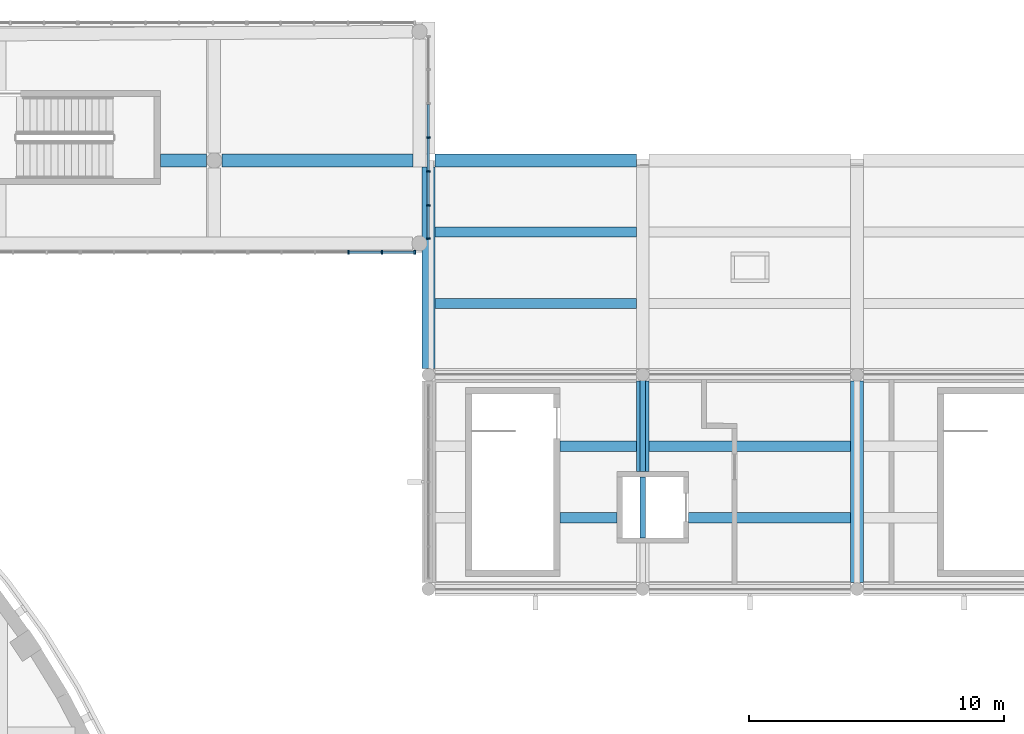
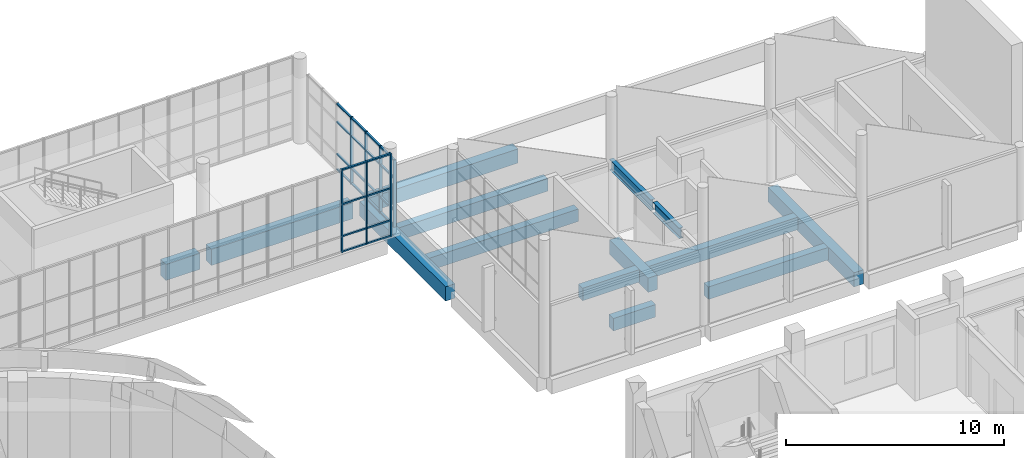
# One storey, part 34 of 119: 31 members, 14 beams, 2 elements without a shape of their own.
"""IFC4 building model written with IfcOpenShell, lengths in metres."""

from ifc_helpers import new_model, si_unit, direction, frame, origin, origin_2d, place, context, subcontext, project, spatial, rectangle, i_section, extrude, material, layer, layer_set, material_profile, profile_set, type_object, element, aggregate, save


model = new_model("IFC4")

# Units and contexts
model_context = context("Model", 3, precision=1e-05, world=origin(), true_north=direction((0.0, 1.0)))
body_context = subcontext(model_context, "Body", "Model", "MODEL_VIEW")
ifc_project = project(units=[si_unit("LENGTHUNIT", "METRE"), si_unit("AREAUNIT", "SQUARE_METRE"), si_unit("VOLUMEUNIT", "CUBIC_METRE"), si_unit("PLANEANGLEUNIT", "RADIAN"), si_unit("MASSUNIT", "GRAM", prefix="KILO")], contexts=[model_context])

# Site, building, storey
site_placement = place(None, origin())
site = spatial("IfcSite", under=ifc_project, at=site_placement, CompositionType="ELEMENT")
building_placement = place(site_placement, origin())
building = spatial("IfcBuilding", under=site, at=building_placement, Name="Larchfold Concert Hall", CompositionType="ELEMENT")
storey_placement = place(building_placement, frame((0.0, 0.0, 4.800048828125)))
storey = spatial("IfcBuildingStorey", under=building, at=storey_placement, Name="L01", CompositionType="ELEMENT", Elevation=4.800048828125)

# Curtain wall, members
ifc_material_1 = material(Name="Anodised graphite aluminium curtain wall", Category="aluminium")
ifc_layer = layer(ifc_material_1, 0.14990234375)
ifc_layer_set = layer_set([ifc_layer], Name="Anodised graphite aluminium curtain wall")
curtain_wall_type = type_object("IfcCurtainWallType", Name="Curtain wall WG", PredefinedType="NOTDEFINED", material=ifc_layer_set)
curtain_wall_1_placement = place(storey_placement, origin())
curtain_wall_1 = element("IfcCurtainWall", 1, at=curtain_wall_1_placement, inside=storey, type_object=curtain_wall_type, Name="Curtain wall CW0170", PredefinedType="NOTDEFINED")
ifc_material_2 = material(Name="Anodised graphite aluminium mullion", Category="aluminium")
ifc_material_profile_1 = material_profile(ifc_material_2, rectangle(XDim=0.14990234375, YDim=0.06005859375, at=origin_2d()))
ifc_profile_set_1 = profile_set([ifc_material_profile_1], Name="Anodised graphite aluminium mullion")
member_type_1 = type_object("IfcMemberType", Name="Aluminium mullion 60x150", PredefinedType="MULLION", material=ifc_profile_set_1)
member_1_placement = place(storey_placement, frame((73.064453125, 123.0, 0.0), z_axis=(0.0, 0.0, 1.0), x_axis=(0.0, 1.0, 0.0)))
member_1 = element("IfcMember", 2, at=member_1_placement, type_object=member_type_1, Name="CW0170 mullion 4", PredefinedType="MULLION", context=body_context, shape_type="SweptSolid", body=[
    extrude(rectangle(XDim=0.14990234375, YDim=0.06005859375, at=origin_2d()), origin(), (0.0, 0.0, 1.0), 4.64990234375),
])
member_2_placement = place(storey_placement, frame((74.378662109375, 123.0, 0.0), z_axis=(0.0, 0.0, 1.0), x_axis=(0.0, 1.0, 0.0)))
member_2 = element("IfcMember", 3, at=member_2_placement, type_object=member_type_1, Name="CW0170 mullion 5", PredefinedType="MULLION", context=body_context, shape_type="SweptSolid", body=[
    extrude(rectangle(XDim=0.14990234375, YDim=0.06005859375, at=origin_2d()), origin(), (0.0, 0.0, 1.0), 4.64990234375),
])
member_3_placement = place(storey_placement, frame((75.66259765625, 123.0, 0.0), z_axis=(0.0, 0.0, 1.0), x_axis=(0.0, 1.0, 0.0)))
member_3 = element("IfcMember", 4, at=member_3_placement, type_object=member_type_1, Name="CW0170 mullion 6", PredefinedType="MULLION", context=body_context, shape_type="SweptSolid", body=[
    extrude(rectangle(XDim=0.14990234375, YDim=0.06005859375, at=origin_2d()), origin(), (0.0, 0.0, 1.0), 4.64990234375),
])

curtain_wall_2_placement = place(storey_placement, origin())
curtain_wall_2 = element("IfcCurtainWall", 5, at=curtain_wall_2_placement, inside=storey, type_object=curtain_wall_type, Name="Curtain wall CW0171", PredefinedType="NOTDEFINED")
member_4_placement = place(storey_placement, frame((76.199951171875, 123.5380859375, 0.0), z_axis=(0.0, 0.0, 1.0), x_axis=(-1.0, 0.0, 0.0)))
member_4 = element("IfcMember", 6, at=member_4_placement, type_object=member_type_1, Name="CW0171 mullion 1", PredefinedType="MULLION", context=body_context, shape_type="SweptSolid", body=[
    extrude(rectangle(XDim=0.14990234375, YDim=0.06005859375, at=origin_2d()), origin(), (0.0, 0.0, 1.0), 3.75),
])
member_5_placement = place(storey_placement, frame((76.199951171875, 124.838623046875, 0.0), z_axis=(0.0, 0.0, 1.0), x_axis=(-1.0, 0.0, 0.0)))
member_5 = element("IfcMember", 7, at=member_5_placement, type_object=member_type_1, Name="CW0171 mullion 2", PredefinedType="MULLION", context=body_context, shape_type="SweptSolid", body=[
    extrude(rectangle(XDim=0.14990234375, YDim=0.06005859375, at=origin_2d()), origin(), (0.0, 0.0, 1.0), 3.75),
])
member_6_placement = place(storey_placement, frame((76.199951171875, 126.16943359375, 0.0), z_axis=(0.0, 0.0, 1.0), x_axis=(-1.0, 0.0, 0.0)))
member_6 = element("IfcMember", 8, at=member_6_placement, type_object=member_type_1, Name="CW0171 mullion 3", PredefinedType="MULLION", context=body_context, shape_type="SweptSolid", body=[
    extrude(rectangle(XDim=0.14990234375, YDim=0.06005859375, at=origin_2d()), origin(), (0.0, 0.0, 1.0), 3.75),
])
member_7_placement = place(storey_placement, frame((76.199951171875, 127.5, 0.0), z_axis=(0.0, 0.0, 1.0), x_axis=(-1.0, 0.0, 0.0)))
member_7 = element("IfcMember", 9, at=member_7_placement, type_object=member_type_1, Name="CW0171 mullion 4", PredefinedType="MULLION", context=body_context, shape_type="SweptSolid", body=[
    extrude(rectangle(XDim=0.14990234375, YDim=0.06005859375, at=origin_2d()), origin(), (0.0, 0.0, 1.0), 3.75),
])

# Member
ifc_material_3 = material(Name="Anodised graphite aluminium transom", Category="aluminium")
ifc_material_profile_2 = material_profile(ifc_material_3, rectangle(XDim=0.10009765625, YDim=0.080078125, at=origin_2d()))
ifc_profile_set_2 = profile_set([ifc_material_profile_2], Name="Anodised graphite aluminium transom")
member_type_2 = type_object("IfcMemberType", Name="Aluminium transom 80x100", PredefinedType="USERDEFINED", material=ifc_profile_set_2)
member_8_placement = place(storey_placement, frame((73.094482421875, 123.0, 0.0400390625), z_axis=(1.0, 0.0, 0.0), x_axis=(0.0, 1.0, 0.0)))
member_8 = element("IfcMember", 10, at=member_8_placement, type_object=member_type_2, Name="CW0170 transom 4.1", ObjectType="TRANSOM", PredefinedType="USERDEFINED", context=body_context, shape_type="SweptSolid", body=[
    extrude(rectangle(XDim=0.10009765625, YDim=0.080078125, at=origin_2d()), origin(), (0.0, 0.0, 1.0), 1.254150390625),
])

member_9_placement = place(storey_placement, frame((73.094482421875, 123.0, 0.89990234375), z_axis=(1.0, 0.0, 0.0), x_axis=(0.0, 1.0, 0.0)))
member_9 = element("IfcMember", 11, at=member_9_placement, type_object=member_type_2, Name="CW0170 transom 4.2", ObjectType="TRANSOM", PredefinedType="USERDEFINED", context=body_context, shape_type="SweptSolid", body=[
    extrude(rectangle(XDim=0.10009765625, YDim=0.080078125, at=origin_2d()), origin(), (0.0, 0.0, 1.0), 1.254150390625),
])

member_10_placement = place(storey_placement, frame((73.094482421875, 123.0, 2.699951171875), z_axis=(1.0, 0.0, 0.0), x_axis=(0.0, 1.0, 0.0)))
member_10 = element("IfcMember", 12, at=member_10_placement, type_object=member_type_2, Name="CW0170 transom 4.3", ObjectType="TRANSOM", PredefinedType="USERDEFINED", context=body_context, shape_type="SweptSolid", body=[
    extrude(rectangle(XDim=0.10009765625, YDim=0.080078125, at=origin_2d()), origin(), (0.0, 0.0, 1.0), 1.254150390625),
])

member_11_placement = place(storey_placement, frame((73.094482421875, 123.0, 4.60986328125), z_axis=(1.0, 0.0, 0.0), x_axis=(0.0, 1.0, 0.0)))
member_11 = element("IfcMember", 13, at=member_11_placement, type_object=member_type_2, Name="CW0170 transom 4.4", ObjectType="TRANSOM", PredefinedType="USERDEFINED", context=body_context, shape_type="SweptSolid", body=[
    extrude(rectangle(XDim=0.10009765625, YDim=0.080078125, at=origin_2d()), origin(), (0.0, 0.0, 1.0), 1.254150390625),
])

member_12_placement = place(storey_placement, frame((74.408447265625, 123.0, 0.0400390625), z_axis=(1.0, 0.0, 0.0), x_axis=(0.0, 1.0, 0.0)))
member_12 = element("IfcMember", 14, at=member_12_placement, type_object=member_type_2, Name="CW0170 transom 5.1", ObjectType="TRANSOM", PredefinedType="USERDEFINED", context=body_context, shape_type="SweptSolid", body=[
    extrude(rectangle(XDim=0.10009765625, YDim=0.080078125, at=origin_2d()), origin(), (0.0, 0.0, 1.0), 1.22412109375),
])

member_13_placement = place(storey_placement, frame((74.408447265625, 123.0, 0.89990234375), z_axis=(1.0, 0.0, 0.0), x_axis=(0.0, 1.0, 0.0)))
member_13 = element("IfcMember", 15, at=member_13_placement, type_object=member_type_2, Name="CW0170 transom 5.2", ObjectType="TRANSOM", PredefinedType="USERDEFINED", context=body_context, shape_type="SweptSolid", body=[
    extrude(rectangle(XDim=0.10009765625, YDim=0.080078125, at=origin_2d()), origin(), (0.0, 0.0, 1.0), 1.22412109375),
])

member_14_placement = place(storey_placement, frame((74.408447265625, 123.0, 2.699951171875), z_axis=(1.0, 0.0, 0.0), x_axis=(0.0, 1.0, 0.0)))
member_14 = element("IfcMember", 16, at=member_14_placement, type_object=member_type_2, Name="CW0170 transom 5.3", ObjectType="TRANSOM", PredefinedType="USERDEFINED", context=body_context, shape_type="SweptSolid", body=[
    extrude(rectangle(XDim=0.10009765625, YDim=0.080078125, at=origin_2d()), origin(), (0.0, 0.0, 1.0), 1.22412109375),
])

member_15_placement = place(storey_placement, frame((74.408447265625, 123.0, 4.60986328125), z_axis=(1.0, 0.0, 0.0), x_axis=(0.0, 1.0, 0.0)))
member_15 = element("IfcMember", 17, at=member_15_placement, type_object=member_type_2, Name="CW0170 transom 5.4", ObjectType="TRANSOM", PredefinedType="USERDEFINED", context=body_context, shape_type="SweptSolid", body=[
    extrude(rectangle(XDim=0.10009765625, YDim=0.080078125, at=origin_2d()), origin(), (0.0, 0.0, 1.0), 1.22412109375),
])

aggregate(curtain_wall_1, [member_1, member_2, member_3, member_8, member_9, member_10, member_11, member_12, member_13, member_14, member_15])

member_16_placement = place(storey_placement, frame((76.199951171875, 123.568115234375, 0.0400390625), z_axis=(0.0, 1.0, 0.0), x_axis=(-1.0, 0.0, 0.0)))
member_16 = element("IfcMember", 18, at=member_16_placement, type_object=member_type_2, Name="CW0171 transom 1.1", ObjectType="TRANSOM", PredefinedType="USERDEFINED", context=body_context, shape_type="SweptSolid", body=[
    extrude(rectangle(XDim=0.10009765625, YDim=0.080078125, at=origin_2d()), origin(), (0.0, 0.0, 1.0), 1.240478515625),
])

member_17_placement = place(storey_placement, frame((76.199951171875, 123.568115234375, 0.89990234375), z_axis=(0.0, 1.0, 0.0), x_axis=(-1.0, 0.0, 0.0)))
member_17 = element("IfcMember", 19, at=member_17_placement, type_object=member_type_2, Name="CW0171 transom 1.2", ObjectType="TRANSOM", PredefinedType="USERDEFINED", context=body_context, shape_type="SweptSolid", body=[
    extrude(rectangle(XDim=0.10009765625, YDim=0.080078125, at=origin_2d()), origin(), (0.0, 0.0, 1.0), 1.240478515625),
])

member_18_placement = place(storey_placement, frame((76.199951171875, 123.568115234375, 2.699951171875), z_axis=(0.0, 1.0, 0.0), x_axis=(-1.0, 0.0, 0.0)))
member_18 = element("IfcMember", 20, at=member_18_placement, type_object=member_type_2, Name="CW0171 transom 1.3", ObjectType="TRANSOM", PredefinedType="USERDEFINED", context=body_context, shape_type="SweptSolid", body=[
    extrude(rectangle(XDim=0.10009765625, YDim=0.080078125, at=origin_2d()), origin(), (0.0, 0.0, 1.0), 1.240478515625),
])

member_19_placement = place(storey_placement, frame((76.199951171875, 123.568115234375, 3.7099609375), z_axis=(0.0, 1.0, 0.0), x_axis=(-1.0, 0.0, 0.0)))
member_19 = element("IfcMember", 21, at=member_19_placement, type_object=member_type_2, Name="CW0171 transom 1.4", ObjectType="TRANSOM", PredefinedType="USERDEFINED", context=body_context, shape_type="SweptSolid", body=[
    extrude(rectangle(XDim=0.10009765625, YDim=0.080078125, at=origin_2d()), origin(), (0.0, 0.0, 1.0), 1.240478515625),
])

member_20_placement = place(storey_placement, frame((76.199951171875, 124.86865234375, 0.0400390625), z_axis=(0.0, 1.0, 0.0), x_axis=(-1.0, 0.0, 0.0)))
member_20 = element("IfcMember", 22, at=member_20_placement, type_object=member_type_2, Name="CW0171 transom 2.1", ObjectType="TRANSOM", PredefinedType="USERDEFINED", context=body_context, shape_type="SweptSolid", body=[
    extrude(rectangle(XDim=0.10009765625, YDim=0.080078125, at=origin_2d()), origin(), (0.0, 0.0, 1.0), 1.270751953125),
])

member_21_placement = place(storey_placement, frame((76.199951171875, 124.86865234375, 0.89990234375), z_axis=(0.0, 1.0, 0.0), x_axis=(-1.0, 0.0, 0.0)))
member_21 = element("IfcMember", 23, at=member_21_placement, type_object=member_type_2, Name="CW0171 transom 2.2", ObjectType="TRANSOM", PredefinedType="USERDEFINED", context=body_context, shape_type="SweptSolid", body=[
    extrude(rectangle(XDim=0.10009765625, YDim=0.080078125, at=origin_2d()), origin(), (0.0, 0.0, 1.0), 1.270751953125),
])

member_22_placement = place(storey_placement, frame((76.199951171875, 124.86865234375, 2.699951171875), z_axis=(0.0, 1.0, 0.0), x_axis=(-1.0, 0.0, 0.0)))
member_22 = element("IfcMember", 24, at=member_22_placement, type_object=member_type_2, Name="CW0171 transom 2.3", ObjectType="TRANSOM", PredefinedType="USERDEFINED", context=body_context, shape_type="SweptSolid", body=[
    extrude(rectangle(XDim=0.10009765625, YDim=0.080078125, at=origin_2d()), origin(), (0.0, 0.0, 1.0), 1.270751953125),
])

member_23_placement = place(storey_placement, frame((76.199951171875, 124.86865234375, 3.7099609375), z_axis=(0.0, 1.0, 0.0), x_axis=(-1.0, 0.0, 0.0)))
member_23 = element("IfcMember", 25, at=member_23_placement, type_object=member_type_2, Name="CW0171 transom 2.4", ObjectType="TRANSOM", PredefinedType="USERDEFINED", context=body_context, shape_type="SweptSolid", body=[
    extrude(rectangle(XDim=0.10009765625, YDim=0.080078125, at=origin_2d()), origin(), (0.0, 0.0, 1.0), 1.270751953125),
])

member_24_placement = place(storey_placement, frame((76.199951171875, 126.199462890625, 0.0400390625), z_axis=(0.0, 1.0, 0.0), x_axis=(-1.0, 0.0, 0.0)))
member_24 = element("IfcMember", 26, at=member_24_placement, type_object=member_type_2, Name="CW0171 transom 3.1", ObjectType="TRANSOM", PredefinedType="USERDEFINED", context=body_context, shape_type="SweptSolid", body=[
    extrude(rectangle(XDim=0.10009765625, YDim=0.080078125, at=origin_2d()), origin(), (0.0, 0.0, 1.0), 1.2705078125),
])

member_25_placement = place(storey_placement, frame((76.199951171875, 126.199462890625, 0.89990234375), z_axis=(0.0, 1.0, 0.0), x_axis=(-1.0, 0.0, 0.0)))
member_25 = element("IfcMember", 27, at=member_25_placement, type_object=member_type_2, Name="CW0171 transom 3.2", ObjectType="TRANSOM", PredefinedType="USERDEFINED", context=body_context, shape_type="SweptSolid", body=[
    extrude(rectangle(XDim=0.10009765625, YDim=0.080078125, at=origin_2d()), origin(), (0.0, 0.0, 1.0), 1.2705078125),
])

member_26_placement = place(storey_placement, frame((76.199951171875, 126.199462890625, 2.699951171875), z_axis=(0.0, 1.0, 0.0), x_axis=(-1.0, 0.0, 0.0)))
member_26 = element("IfcMember", 28, at=member_26_placement, type_object=member_type_2, Name="CW0171 transom 3.3", ObjectType="TRANSOM", PredefinedType="USERDEFINED", context=body_context, shape_type="SweptSolid", body=[
    extrude(rectangle(XDim=0.10009765625, YDim=0.080078125, at=origin_2d()), origin(), (0.0, 0.0, 1.0), 1.2705078125),
])

member_27_placement = place(storey_placement, frame((76.199951171875, 126.199462890625, 3.7099609375), z_axis=(0.0, 1.0, 0.0), x_axis=(-1.0, 0.0, 0.0)))
member_27 = element("IfcMember", 29, at=member_27_placement, type_object=member_type_2, Name="CW0171 transom 3.4", ObjectType="TRANSOM", PredefinedType="USERDEFINED", context=body_context, shape_type="SweptSolid", body=[
    extrude(rectangle(XDim=0.10009765625, YDim=0.080078125, at=origin_2d()), origin(), (0.0, 0.0, 1.0), 1.2705078125),
])

member_28_placement = place(storey_placement, frame((76.199951171875, 127.530029296875, 0.0400390625), z_axis=(0.0, 1.0, 0.0), x_axis=(-1.0, 0.0, 0.0)))
member_28 = element("IfcMember", 30, at=member_28_placement, type_object=member_type_2, Name="CW0171 transom 4.1", ObjectType="TRANSOM", PredefinedType="USERDEFINED", context=body_context, shape_type="SweptSolid", body=[
    extrude(rectangle(XDim=0.10009765625, YDim=0.080078125, at=origin_2d()), origin(), (0.0, 0.0, 1.0), 1.2705078125),
])

member_29_placement = place(storey_placement, frame((76.199951171875, 127.530029296875, 0.89990234375), z_axis=(0.0, 1.0, 0.0), x_axis=(-1.0, 0.0, 0.0)))
member_29 = element("IfcMember", 31, at=member_29_placement, type_object=member_type_2, Name="CW0171 transom 4.2", ObjectType="TRANSOM", PredefinedType="USERDEFINED", context=body_context, shape_type="SweptSolid", body=[
    extrude(rectangle(XDim=0.10009765625, YDim=0.080078125, at=origin_2d()), origin(), (0.0, 0.0, 1.0), 1.2705078125),
])

member_30_placement = place(storey_placement, frame((76.199951171875, 127.530029296875, 2.699951171875), z_axis=(0.0, 1.0, 0.0), x_axis=(-1.0, 0.0, 0.0)))
member_30 = element("IfcMember", 32, at=member_30_placement, type_object=member_type_2, Name="CW0171 transom 4.3", ObjectType="TRANSOM", PredefinedType="USERDEFINED", context=body_context, shape_type="SweptSolid", body=[
    extrude(rectangle(XDim=0.10009765625, YDim=0.080078125, at=origin_2d()), origin(), (0.0, 0.0, 1.0), 1.2705078125),
])

member_31_placement = place(storey_placement, frame((76.199951171875, 127.530029296875, 3.7099609375), z_axis=(0.0, 1.0, 0.0), x_axis=(-1.0, 0.0, 0.0)))
member_31 = element("IfcMember", 33, at=member_31_placement, type_object=member_type_2, Name="CW0171 transom 4.4", ObjectType="TRANSOM", PredefinedType="USERDEFINED", context=body_context, shape_type="SweptSolid", body=[
    extrude(rectangle(XDim=0.10009765625, YDim=0.080078125, at=origin_2d()), origin(), (0.0, 0.0, 1.0), 1.2705078125),
])

aggregate(curtain_wall_2, [member_4, member_5, member_6, member_7, member_16, member_17, member_18, member_19, member_20, member_21, member_22, member_23, member_24, member_25, member_26, member_27, member_28, member_29, member_30, member_31])

# Beams
ifc_material_4 = material(Name="Concrete C35/45", Category="concrete")
ifc_material_profile_3 = material_profile(ifc_material_4, rectangle(XDim=0.39990234375, YDim=0.699951171875, at=origin_2d()))
ifc_profile_set_3 = profile_set([ifc_material_profile_3], Name="Concrete C35/45")
beam_type_1 = type_object("IfcBeamType", Name="Beam RC 400x700", PredefinedType="BEAM", material=ifc_profile_set_3)
beam_1_placement = place(storey_placement, frame((81.35009765625, 112.60009765625, -0.550048828125), z_axis=(1.0, 0.0, 0.0), x_axis=(0.0, 1.0, 0.0)))
element("IfcBeam", 34, at=beam_1_placement, inside=storey, type_object=beam_type_1, Name="Beam B1091", PredefinedType="BEAM", context=body_context, shape_type="SweptSolid", body=[
    extrude(rectangle(XDim=0.39990234375, YDim=0.699951171875, at=origin_2d()), origin(), (0.0, 0.0, 1.0), 2.25),
])
beam_2_placement = place(storey_placement, frame((86.39990234375, 112.60009765625, -0.550048828125), z_axis=(1.0, 0.0, 0.0), x_axis=(0.0, 1.0, 0.0)))
element("IfcBeam", 35, at=beam_2_placement, inside=storey, type_object=beam_type_1, Name="Beam B1092", PredefinedType="BEAM", context=body_context, shape_type="SweptSolid", body=[
    extrude(rectangle(XDim=0.39990234375, YDim=0.699951171875, at=origin_2d()), origin(), (0.0, 0.0, 1.0), 6.35009765625),
])
beam_3_placement = place(storey_placement, frame((81.35009765625, 115.39990234375, -0.550048828125), z_axis=(1.0, 0.0, 0.0), x_axis=(0.0, 1.0, 0.0)))
element("IfcBeam", 36, at=beam_3_placement, inside=storey, type_object=beam_type_1, Name="Beam B1096", PredefinedType="BEAM", context=body_context, shape_type="SweptSolid", body=[
    extrude(rectangle(XDim=0.39990234375, YDim=0.699951171875, at=origin_2d()), origin(), (0.0, 0.0, 1.0), 3.0),
])
beam_4_placement = place(storey_placement, frame((84.85009765625, 115.39990234375, -0.550048828125), z_axis=(1.0, 0.0, 0.0), x_axis=(0.0, 1.0, 0.0)))
element("IfcBeam", 37, at=beam_4_placement, inside=storey, type_object=beam_type_1, Name="Beam B1097", PredefinedType="BEAM", context=body_context, shape_type="SweptSolid", body=[
    extrude(rectangle(XDim=0.39990234375, YDim=0.699951171875, at=origin_2d()), origin(), (0.0, 0.0, 1.0), 7.89990234375),
])
for number, where, z_axis, x_axis, name in (
    (38, (76.449951171875, 121.0, -0.550048828125), (1.0, 0.0, 0.0), (0.0, 1.0, 0.0), "Beam B1100"),
    (39, (76.449951171875, 123.800048828125, -0.550048828125), (1.0, 0.0, 0.0), (0.0, 1.0, 0.0), "Beam B1103"),
):
    element("IfcBeam", number, at=place(storey_placement, frame(where, z_axis=z_axis, x_axis=x_axis)), inside=storey, type_object=beam_type_1, Name=name, PredefinedType="BEAM", context=body_context, shape_type="SweptSolid", body=[
        extrude(rectangle(XDim=0.39990234375, YDim=0.699951171875, at=origin_2d()), origin(), (0.0, 0.0, 1.0), 7.900146484375),
    ])
ifc_material_5 = material(Name="Concrete C35/45", Category="concrete")
ifc_material_profile_4 = material_profile(ifc_material_5, rectangle(XDim=0.5, YDim=0.800048828125, at=origin_2d()))
ifc_profile_set_4 = profile_set([ifc_material_profile_4], Name="Concrete C35/45")
beam_type_2 = type_object("IfcBeamType", Name="Beam RC 500x800", PredefinedType="BEAM", material=ifc_profile_set_4)
beam_5_placement = place(storey_placement, frame((76.199951171875, 118.448974609375, -0.60009765625), z_axis=(0.0, 1.0, 0.0), x_axis=(-1.0, 0.0, 0.0)))
element("IfcBeam", 40, at=beam_5_placement, inside=storey, type_object=beam_type_2, Name="Beam B1073", PredefinedType="BEAM", context=body_context, shape_type="SweptSolid", body=[
    extrude(rectangle(XDim=0.5, YDim=0.800048828125, at=origin_2d()), origin(), (0.0, 0.0, 1.0), 7.902099609375),
])
beam_6_placement = place(storey_placement, frame((84.60009765625, 114.39990234375, -0.60009765625), z_axis=(0.0, 1.0, 0.0), x_axis=(-1.0, 0.0, 0.0)))
element("IfcBeam", 41, at=beam_6_placement, inside=storey, type_object=beam_type_2, Name="Beam B1075", PredefinedType="BEAM", context=body_context, shape_type="SweptSolid", body=[
    extrude(rectangle(XDim=0.5, YDim=0.800048828125, at=origin_2d()), origin(), (0.0, 0.0, 1.0), 3.55126953125),
])
beam_7_placement = place(storey_placement, frame((93.0, 110.048828125, -0.60009765625), z_axis=(0.0, 1.0, 0.0), x_axis=(-1.0, 0.0, 0.0)))
element("IfcBeam", 42, at=beam_7_placement, inside=storey, type_object=beam_type_2, Name="Beam B1077", PredefinedType="BEAM", context=body_context, shape_type="SweptSolid", body=[
    extrude(rectangle(XDim=0.5, YDim=0.800048828125, at=origin_2d()), origin(), (0.0, 0.0, 1.0), 7.90234375),
])
beam_8_placement = place(storey_placement, frame((76.448974609375, 126.60009765625, -0.60009765625), z_axis=(1.0, 0.0, 0.0), x_axis=(0.0, 1.0, 0.0)))
element("IfcBeam", 43, at=beam_8_placement, inside=storey, type_object=beam_type_2, Name="Beam B1087", PredefinedType="BEAM", context=body_context, shape_type="SweptSolid", body=[
    extrude(rectangle(XDim=0.5, YDim=0.800048828125, at=origin_2d()), origin(), (0.0, 0.0, 1.0), 7.902099609375),
])
ifc_material_6 = material(Name="Concrete C35/45", Category="concrete")
ifc_material_profile_5 = material_profile(ifc_material_6, rectangle(XDim=0.5, YDim=0.89990234375, at=origin_2d()))
ifc_profile_set_5 = profile_set([ifc_material_profile_5], Name="Concrete C35/45")
beam_type_3 = type_object("IfcBeamType", Name="Beam RC 500x900", PredefinedType="BEAM", material=ifc_profile_set_5)
beam_9_placement = place(storey_placement, frame((65.699951171875, 126.60009765625, -0.60009765625), z_axis=(1.0, 0.0, 0.0), x_axis=(0.0, 1.0, 0.0)))
element("IfcBeam", 44, at=beam_9_placement, inside=storey, type_object=beam_type_3, Name="Beam B1934", PredefinedType="BEAM", context=body_context, shape_type="SweptSolid", body=[
    extrude(rectangle(XDim=0.5, YDim=0.89990234375, at=origin_2d()), origin(), (0.0, 0.0, 1.0), 1.80126953125),
])
beam_10_placement = place(storey_placement, frame((68.0986328125, 126.60009765625, -0.60009765625), z_axis=(1.0, 0.0, 0.0), x_axis=(0.0, 1.0, 0.0)))
element("IfcBeam", 45, at=beam_10_placement, inside=storey, type_object=beam_type_3, Name="Beam B1935", PredefinedType="BEAM", context=body_context, shape_type="SweptSolid", body=[
    extrude(rectangle(XDim=0.5, YDim=0.89990234375, at=origin_2d()), origin(), (0.0, 0.0, 1.0), 7.50146484375),
])
ifc_material_7 = material(Name="Steel S355", Category="steel")
ifc_material_profile_6 = material_profile(ifc_material_7, i_section(OverallWidth=0.219970703125, OverallDepth=0.60009765625, WebThickness=0.011962890625, FlangeThickness=0.01904296875, FilletRadius=0.02392578125, at=origin_2d()))
ifc_profile_set_6 = profile_set([ifc_material_profile_6], Name="Steel S355")
beam_type_4 = type_object("IfcBeamType", Name="Steel beam IPE 600", PredefinedType="BEAM", material=ifc_profile_set_6)
beam_11_placement = place(storey_placement, frame((84.60009765625, 111.800048828125, 3.823974609375), z_axis=(0.0, 1.0, 0.0), x_axis=(-1.0, 0.0, 0.0)))
element("IfcBeam", 46, at=beam_11_placement, inside=storey, type_object=beam_type_4, Name="Beam B2094", PredefinedType="BEAM", context=body_context, shape_type="SweptSolid", body=[
    extrude(i_section(OverallWidth=0.219970703125, OverallDepth=0.60009765625, WebThickness=0.011962890625, FlangeThickness=0.01904296875, FilletRadius=0.02392578125, at=origin_2d()), origin(), (0.0, 0.0, 1.0), 2.39990234375),
])
beam_12_placement = place(storey_placement, frame((84.60009765625, 114.39990234375, 3.823974609375), z_axis=(0.0, 1.0, 0.0), x_axis=(-1.0, 0.0, 0.0)))
element("IfcBeam", 47, at=beam_12_placement, inside=storey, type_object=beam_type_4, Name="Beam B2095", PredefinedType="BEAM", context=body_context, shape_type="SweptSolid", body=[
    extrude(i_section(OverallWidth=0.219970703125, OverallDepth=0.60009765625, WebThickness=0.011962890625, FlangeThickness=0.01904296875, FilletRadius=0.02392578125, at=origin_2d()), origin(), (0.0, 0.0, 1.0), 3.800048828125),
])

save(model, "model.ifc")
